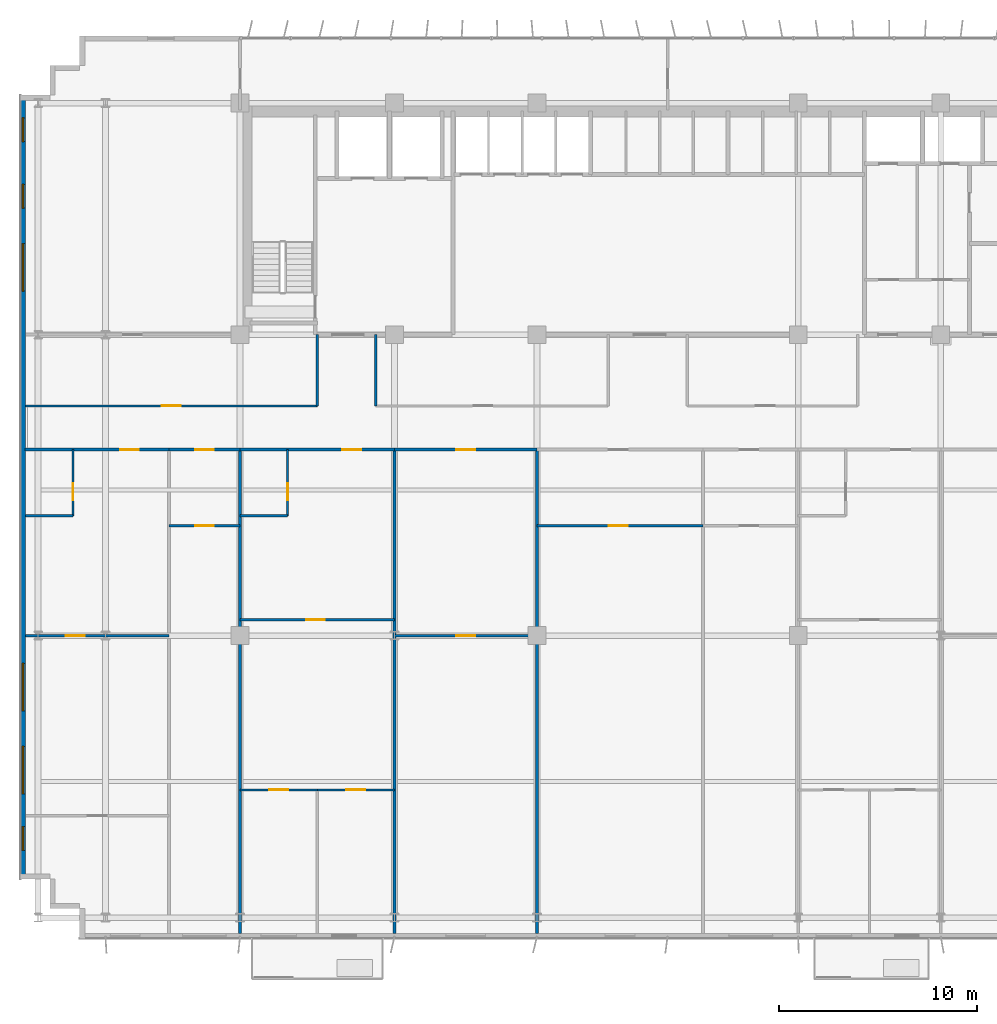
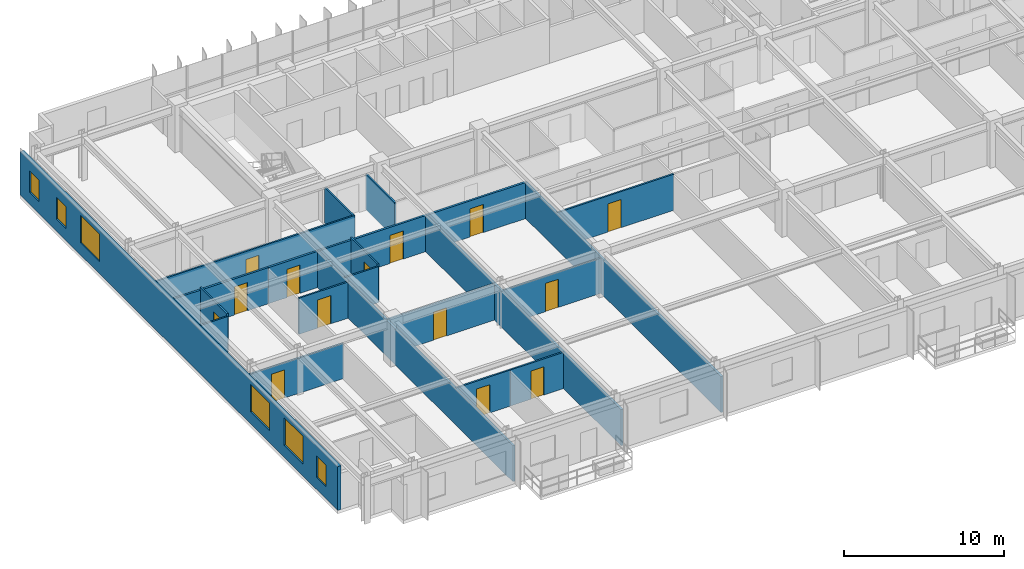
# One storey, part 15 of 22: 22 walls, 14 doors, 6 windows, 20 openings.
"""IFC4 building model written with IfcOpenShell, lengths in metres."""

import ifcopenshell
import ifcopenshell.guid

model = None  # the IFC model being written
_history = None  # IfcOwnerHistory: only IFC2X3 demands one
_inside = {}  # id of a spatial element -> (the spatial element, [elements in it])
_under = {}  # id of a project, library or spatial element -> (it, [spatial elements below it])
_declared = {}  # id of a project -> (the project, [libraries it declares])
_typed = {}  # id of a type object -> (the type object, [elements of that type])
_made_of = {}  # id of a material, layer set ... -> (it, [elements and type objects made of it])


def new_model(schema):
    """Start an empty IFC model of exactly this schema.

    Asked for "IFC4X3", IfcOpenShell would pick the latest addendum, in which some entities
    have other attributes; the version numbers below select the first issue.
    IFC2X3 requires an IfcOwnerHistory on every rooted entity: one is made here for all.
    """
    global model, _history
    if schema == "IFC4X3":
        model = ifcopenshell.file(schema_version=(4, 3, 0, 0))
    else:
        model = ifcopenshell.file(schema=schema)
    _inside.clear()
    _under.clear()
    _declared.clear()
    _typed.clear()
    _made_of.clear()
    _history = None
    if model.schema == "IFC2X3":
        org = make("IfcOrganization", Name="unknown")
        user = make(
            "IfcPersonAndOrganization",
            ThePerson=make("IfcPerson", FamilyName="unknown"),
            TheOrganization=org,
        )
        app = make(
            "IfcApplication",
            ApplicationDeveloper=org,
            Version="unknown",
            ApplicationFullName="unknown",
            ApplicationIdentifier="unknown",
        )
        _history = make(
            "IfcOwnerHistory",
            OwningUser=user,
            OwningApplication=app,
            ChangeAction="ADDED",
            CreationDate=0,
        )
    return model


def make(cls, **values):
    """One entity of the class cls with the attributes given. An attribute that is None is left unset."""
    return model.create_entity(
        cls, **{name: value for name, value in values.items() if value is not None}
    )


def rooted(cls, **values):
    """An entity with a GlobalId (a new one), such as an element, a storey or a relation."""
    return make(cls, GlobalId=ifcopenshell.guid.new(), OwnerHistory=_history, **values)


def si_unit(unit_type, name, prefix=None):
    """IfcSIUnit, for example si_unit("LENGTHUNIT", "METRE", prefix="MILLI")."""
    return make("IfcSIUnit", UnitType=unit_type, Prefix=prefix, Name=name)


def assignment(units):
    """IfcUnitAssignment: the units of a project."""
    return None if units is None else make("IfcUnitAssignment", Units=units)


def point(xyz):
    """IfcCartesianPoint."""
    return None if xyz is None else make("IfcCartesianPoint", Coordinates=xyz)


def direction(xyz):
    """IfcDirection."""
    return None if xyz is None else make("IfcDirection", DirectionRatios=xyz)


def frame(location, z_axis=None, x_axis=None):
    """IfcAxis2Placement3D, a coordinate frame: its origin and axes. An axis left out is left unset."""
    return make(
        "IfcAxis2Placement3D",
        Location=point(location),
        Axis=direction(z_axis),
        RefDirection=direction(x_axis),
    )


def frame_2d(location, x_axis=None):
    """IfcAxis2Placement2D, a coordinate frame in the plane: its origin and x axis."""
    return make(
        "IfcAxis2Placement2D", Location=point(location), RefDirection=direction(x_axis)
    )


def origin():
    """The frame at (0, 0, 0) with its axes left unset."""
    return frame((0.0, 0.0, 0.0))


def place(relative_to, where):
    """IfcLocalPlacement: puts the frame where relative to a parent placement (None: the world)."""
    return make(
        "IfcLocalPlacement", PlacementRelTo=relative_to, RelativePlacement=where
    )


def context(
    kind, dimensions, precision=None, world=None, true_north=None, identifier=None
):
    """IfcGeometricRepresentationContext, for example the 3D "Model" context."""
    return make(
        "IfcGeometricRepresentationContext",
        ContextIdentifier=identifier,
        ContextType=kind,
        CoordinateSpaceDimension=dimensions,
        Precision=precision,
        WorldCoordinateSystem=world,
        TrueNorth=true_north,
    )


def subcontext(parent, identifier, kind, view, scale=None):
    """IfcGeometricRepresentationSubContext, for example "Body" below "Model"."""
    return make(
        "IfcGeometricRepresentationSubContext",
        ContextIdentifier=identifier,
        ContextType=kind,
        ParentContext=parent,
        TargetScale=scale,
        TargetView=view,
    )


def project(units=None, contexts=None):
    """IfcProject with its units and contexts."""
    return rooted(
        "IfcProject",
        Name="project",
        RepresentationContexts=contexts,
        UnitsInContext=assignment(units),
    )


def spatial(cls, under=None, at=None, **own):
    """A site, building, storey or space (cls), placed at a placement, below another one or the project."""
    s = rooted(cls, ObjectPlacement=at, **own)
    if under is not None:
        _under.setdefault(under.id(), (under, []))[1].append(s)
    return s


def profile(cls, at=None, kind="AREA", **sizes):
    """A parametric profile (cls). Its sizes go by their IFC names, for example OverallWidth=200.0."""
    return make(cls, ProfileType=kind, Position=at, **sizes)


def rectangle(**sizes):
    """IfcRectangleProfileDef."""
    return profile("IfcRectangleProfileDef", **sizes)


def extrude(swept, where, along, depth):
    """IfcExtrudedAreaSolid: the profile swept, set in the frame where, extruded along a direction by depth."""
    return make(
        "IfcExtrudedAreaSolid",
        SweptArea=swept,
        Position=where,
        ExtrudedDirection=direction(along),
        Depth=depth,
    )


def shape(context_of_items, identifier, shape_type, items):
    """IfcShapeRepresentation: the items that make up one representation, for example the "Body"."""
    return make(
        "IfcShapeRepresentation",
        ContextOfItems=context_of_items,
        RepresentationIdentifier=identifier,
        RepresentationType=shape_type,
        Items=items,
    )


def source(mapping_origin, context_of_items, identifier, shape_type, items):
    """IfcRepresentationMap: a shape defined once, which mapped items show again and again."""
    return make(
        "IfcRepresentationMap",
        MappingOrigin=mapping_origin,
        MappedRepresentation=shape(context_of_items, identifier, shape_type, items),
    )


def transform(
    local_origin,
    x_axis=None,
    y_axis=None,
    z_axis=None,
    scale=None,
    scale2=None,
    scale3=None,
    uniform=True,
):
    """IfcCartesianTransformationOperator3D, or its non-uniform kind. x_axis, y_axis, z_axis: its Axis1, 2, 3."""
    if uniform:
        return make(
            "IfcCartesianTransformationOperator3D",
            Axis1=direction(x_axis),
            Axis2=direction(y_axis),
            LocalOrigin=point(local_origin),
            Scale=scale,
            Axis3=direction(z_axis),
        )
    return make(
        "IfcCartesianTransformationOperator3DnonUniform",
        Axis1=direction(x_axis),
        Axis2=direction(y_axis),
        LocalOrigin=point(local_origin),
        Scale=scale,
        Axis3=direction(z_axis),
        Scale2=scale2,
        Scale3=scale3,
    )


def mapped(mapping_source, mapping_target):
    """IfcMappedItem: shows the shape of a source again, moved by a transform."""
    return make(
        "IfcMappedItem", MappingSource=mapping_source, MappingTarget=mapping_target
    )


def material(Name=None, Category=None):
    """IfcMaterial."""
    return make("IfcMaterial", Name=Name, Category=Category)


def layer(
    of_material, thickness, ventilated=None, Name=None, Category=None, Priority=None
):
    """IfcMaterialLayer: one layer of a wall or slab, of a material (None: an air gap)."""
    return make(
        "IfcMaterialLayer",
        Material=of_material,
        LayerThickness=thickness,
        IsVentilated=ventilated,
        Name=Name,
        Category=Category,
        Priority=Priority,
    )


def layer_set(layers, Name=None):
    """IfcMaterialLayerSet."""
    return make("IfcMaterialLayerSet", MaterialLayers=layers, LayerSetName=Name)


def made_of(thing, what):
    """Note that an element or type object is made of a material, layer set ...; save() writes the relation."""
    if what is not None:
        _made_of.setdefault(what.id(), (what, []))[1].append(thing)
    return thing


def type_object(cls, material=None, **own):
    """A type object (cls), such as IfcWallType, which elements share."""
    return made_of(rooted(cls, **own), material)


def element(
    cls,
    number,
    at=None,
    inside=None,
    cuts=None,
    type_object=None,
    material=None,
    context=None,
    identifier="Body",
    shape_type=None,
    held_by="IfcProductDefinitionShape",
    body=None,
    shapes=None,
    **own,
):
    """One element of the class cls, such as IfcWall. Its Tag is "e" and its number.

    at: its placement. inside: the storey or other place that contains it. cuts: it is an
    opening in that element (IfcRelVoidsElement). A single representation is given by context,
    identifier, shape_type and body (its items); several are given by shapes. held_by: the class
    of the entity that holds the representations. save() writes the other relations.
    """
    e = rooted(cls, Tag="e%d" % number, ObjectPlacement=at, **own)
    if body is not None:
        shapes = [shape(context, identifier, shape_type, body)]
    if shapes is not None:
        e.Representation = make(held_by, Representations=shapes)
    if inside is not None:
        _inside.setdefault(inside.id(), (inside, []))[1].append(e)
    if cuts is not None:
        rooted(
            "IfcRelVoidsElement", RelatingBuildingElement=cuts, RelatedOpeningElement=e
        )
    if type_object is not None:
        _typed.setdefault(type_object.id(), (type_object, []))[1].append(e)
    return made_of(e, material)


def fill(opening, filler):
    """IfcRelFillsElement: the door or window that sits in an opening."""
    return rooted(
        "IfcRelFillsElement",
        RelatingOpeningElement=opening,
        RelatedBuildingElement=filler,
    )


def aggregate(whole, parts):
    """IfcRelAggregates: a whole, such as a stair, and the parts it consists of."""
    return rooted("IfcRelAggregates", RelatingObject=whole, RelatedObjects=parts)


def save(model, path):
    """Write the relations noted so far, then the file.

    IfcRelAggregates (storeys below a building ...), IfcRelContainedInSpatialStructure (elements
    in a storey), IfcRelDefinesByType, IfcRelAssociatesMaterial and IfcRelDeclares: one each for
    every whole, place, type object, material and project.
    """
    for whole, parts in _under.values():
        aggregate(whole, parts)
    for where, things in _inside.values():
        rooted(
            "IfcRelContainedInSpatialStructure",
            RelatedElements=things,
            RelatingStructure=where,
        )
    for kind, things in _typed.values():
        rooted("IfcRelDefinesByType", RelatedObjects=things, RelatingType=kind)
    for what, things in _made_of.values():
        rooted("IfcRelAssociatesMaterial", RelatedObjects=things, RelatingMaterial=what)
    for by, libraries in _declared.values():
        rooted("IfcRelDeclares", RelatingContext=by, RelatedDefinitions=libraries)
    model.write(path)


model = new_model("IFC4")

# Units and contexts
model_context = context("Model", 3, precision=1e-05, world=origin(), true_north=direction((0.0, 1.0)))
body_context = subcontext(model_context, "Body", "Model", "MODEL_VIEW")
ifc_project = project(units=[si_unit("LENGTHUNIT", "METRE"), si_unit("AREAUNIT", "SQUARE_METRE"), si_unit("VOLUMEUNIT", "CUBIC_METRE"), si_unit("PLANEANGLEUNIT", "RADIAN"), si_unit("MASSUNIT", "GRAM", prefix="KILO")], contexts=[model_context])

# Site, building, storey
site_placement = place(None, origin())
site = spatial("IfcSite", under=ifc_project, at=site_placement, CompositionType="ELEMENT")
building_placement = place(site_placement, origin())
building = spatial("IfcBuilding", under=site, at=building_placement, Name="Trelvane Seafront Commons", CompositionType="ELEMENT")
storey_placement = place(building_placement, frame((0.0, 0.0, 45.10009765625)))
storey = spatial("IfcBuildingStorey", under=building, at=storey_placement, Name="L11", CompositionType="ELEMENT", Elevation=45.10009765625)

# Wall, openings, windows
ifc_material_1 = material(Name="Precast concrete C40/50", Category="concrete")
ifc_layer_1 = layer(ifc_material_1, 0.260009765625, Name="ARCH-WALL-EXT260")
ifc_layer_set_1 = layer_set([ifc_layer_1], Name="Precast concrete C40/50")
wall_type_1 = type_object("IfcWallType", Name="ARCH-WALL-EXT260", PredefinedType="SOLIDWALL", material=ifc_layer_set_1)
wall_1_placement = place(storey_placement, frame((4.6298828125, 5.89990234375, 0.0), z_axis=(0.0, 0.0, 1.0), x_axis=(0.0, 1.0, 0.0)))
wall_1 = element("IfcWall", 1, at=wall_1_placement, inside=storey, type_object=wall_type_1, Name="EW-L11-00176", PredefinedType="SOLIDWALL", context=body_context, shape_type="SweptSolid", body=[
    extrude(rectangle(XDim=39.60009765625, YDim=0.260009765625, at=frame_2d((19.800048828125, 0.0))), origin(), (0.0, 0.0, 1.0), 3.33984375),
])
opening_1_placement = place(wall_1_placement, frame((1.449951171875, 0.0, 0.919921875)))
opening_1 = element("IfcOpeningElement", 2, at=opening_1_placement, cuts=wall_1, Name="Opening W05", PredefinedType="OPENING", context=body_context, shape_type="SweptSolid", body=[
    extrude(rectangle(XDim=1.199951171875, YDim=1.64990234375, at=frame_2d((0.60009765625, 0.824951171875))), frame((0.0, 0.139892578125, 0.0), z_axis=(0.0, -1.0, 0.0), x_axis=(1.0, 0.0, 0.0)), (0.0, 0.0, 1.0), 0.280029296875),
])
opening_2_placement = place(wall_1_placement, frame((4.300048828125, 0.0, 0.919921875)))
opening_2 = element("IfcOpeningElement", 3, at=opening_2_placement, cuts=wall_1, Name="Opening W08", PredefinedType="OPENING", context=body_context, shape_type="SweptSolid", body=[
    extrude(rectangle(XDim=2.39990234375, YDim=2.10009765625, at=frame_2d((1.199951171875, 1.050048828125))), frame((0.0, 0.139892578125, 0.0), z_axis=(0.0, -1.0, 0.0), x_axis=(1.0, 0.0, 0.0)), (0.0, 0.0, 1.0), 0.280029296875),
])
opening_3_placement = place(wall_1_placement, frame((8.5, 0.0, 0.919921875)))
opening_3 = element("IfcOpeningElement", 4, at=opening_3_placement, cuts=wall_1, Name="Opening W08", PredefinedType="OPENING", context=body_context, shape_type="SweptSolid", body=[
    extrude(rectangle(XDim=2.39990234375, YDim=2.10009765625, at=frame_2d((1.199951171875, 1.050048828125))), frame((0.0, 0.139892578125, 0.0), z_axis=(0.0, -1.0, 0.0), x_axis=(1.0, 0.0, 0.0)), (0.0, 0.0, 1.0), 0.280029296875),
])
opening_4_placement = place(wall_1_placement, frame((29.699951171875, 0.0, 0.919921875)))
opening_4 = element("IfcOpeningElement", 5, at=opening_4_placement, cuts=wall_1, Name="Opening W08", PredefinedType="OPENING", context=body_context, shape_type="SweptSolid", body=[
    extrude(rectangle(XDim=2.39990234375, YDim=2.10009765625, at=frame_2d((1.199951171875, 1.050048828125))), frame((0.0, 0.139892578125, 0.0), z_axis=(0.0, -1.0, 0.0), x_axis=(1.0, 0.0, 0.0)), (0.0, 0.0, 1.0), 0.280029296875),
])
opening_5_placement = place(wall_1_placement, frame((33.89990234375, 0.0, 0.919921875)))
opening_5 = element("IfcOpeningElement", 6, at=opening_5_placement, cuts=wall_1, Name="Opening W05", PredefinedType="OPENING", context=body_context, shape_type="SweptSolid", body=[
    extrude(rectangle(XDim=1.199951171875, YDim=1.64990234375, at=frame_2d((0.60009765625, 0.824951171875))), frame((0.0, 0.139892578125, 0.0), z_axis=(0.0, -1.0, 0.0), x_axis=(1.0, 0.0, 0.0)), (0.0, 0.0, 1.0), 0.280029296875),
])
opening_6_placement = place(wall_1_placement, frame((37.25, 0.0, 0.919921875)))
opening_6 = element("IfcOpeningElement", 7, at=opening_6_placement, cuts=wall_1, Name="Opening W05", PredefinedType="OPENING", context=body_context, shape_type="SweptSolid", body=[
    extrude(rectangle(XDim=1.199951171875, YDim=1.64990234375, at=frame_2d((0.60009765625, 0.824951171875))), frame((0.0, 0.139892578125, 0.0), z_axis=(0.0, -1.0, 0.0), x_axis=(1.0, 0.0, 0.0)), (0.0, 0.0, 1.0), 0.280029296875),
])
ifc_material_2 = material(Name="Low-E coastal double glazing", Category="glass")
window_type_1 = type_object("IfcWindowType", Name="ARCH-WIN-W08", PartitioningType="SINGLE_PANEL", PredefinedType="WINDOW", material=ifc_material_2)
shared_shape_1 = source(origin(), body_context, "Body", "SweptSolid", [
    extrude(rectangle(XDim=2.39990234375, YDim=2.10009765625, at=frame_2d((1.199951171875, 1.050048828125))), frame((0.0, 0.030029296875, 0.0), z_axis=(0.0, -1.0, 0.0), x_axis=(1.0, 0.0, 0.0)), (0.0, 0.0, 1.0), 0.06005859375),
])
window_1_placement = place(opening_2_placement, origin())
window_1 = element("IfcWindow", 8, at=window_1_placement, inside=storey, type_object=window_type_1, Name="WIN-L11-EW-00214", OverallHeight=2.10009765625, OverallWidth=2.39990234375, PartitioningType="SINGLE_PANEL", PredefinedType="WINDOW", context=body_context, shape_type="MappedRepresentation", body=[
    mapped(shared_shape_1, transform((0.0, 0.0, 0.0), x_axis=(1.0, 0.0, 0.0), y_axis=(0.0, 1.0, 0.0), z_axis=(0.0, 0.0, 1.0), scale=1.0)),
])
fill(opening_2, window_1)
window_2_placement = place(opening_3_placement, origin())
window_2 = element("IfcWindow", 9, at=window_2_placement, inside=storey, type_object=window_type_1, Name="WIN-L11-EW-00215", OverallHeight=2.10009765625, OverallWidth=2.39990234375, PartitioningType="SINGLE_PANEL", PredefinedType="WINDOW", context=body_context, shape_type="MappedRepresentation", body=[
    mapped(shared_shape_1, transform((0.0, 0.0, 0.0), x_axis=(1.0, 0.0, 0.0), y_axis=(0.0, 1.0, 0.0), z_axis=(0.0, 0.0, 1.0), scale=1.0)),
])
fill(opening_3, window_2)
window_3_placement = place(opening_4_placement, origin())
window_3 = element("IfcWindow", 10, at=window_3_placement, inside=storey, type_object=window_type_1, Name="WIN-L11-EW-00216", OverallHeight=2.10009765625, OverallWidth=2.39990234375, PartitioningType="SINGLE_PANEL", PredefinedType="WINDOW", context=body_context, shape_type="MappedRepresentation", body=[
    mapped(shared_shape_1, transform((0.0, 0.0, 0.0), x_axis=(1.0, 0.0, 0.0), y_axis=(0.0, 1.0, 0.0), z_axis=(0.0, 0.0, 1.0), scale=1.0)),
])
fill(opening_4, window_3)
window_type_2 = type_object("IfcWindowType", Name="ARCH-WIN-W05", PartitioningType="SINGLE_PANEL", PredefinedType="WINDOW", material=ifc_material_2)
shared_shape_2 = source(origin(), body_context, "Body", "SweptSolid", [
    extrude(rectangle(XDim=1.199951171875, YDim=1.64990234375, at=frame_2d((0.60009765625, 0.824951171875))), frame((0.0, 0.030029296875, 0.0), z_axis=(0.0, -1.0, 0.0), x_axis=(1.0, 0.0, 0.0)), (0.0, 0.0, 1.0), 0.06005859375),
])
window_4_placement = place(opening_1_placement, origin())
window_4 = element("IfcWindow", 11, at=window_4_placement, inside=storey, type_object=window_type_2, Name="WIN-L11-EW-00213", OverallHeight=1.64990234375, OverallWidth=1.199951171875, PartitioningType="SINGLE_PANEL", PredefinedType="WINDOW", context=body_context, shape_type="MappedRepresentation", body=[
    mapped(shared_shape_2, transform((0.0, 0.0, 0.0), x_axis=(1.0, 0.0, 0.0), y_axis=(0.0, 1.0, 0.0), z_axis=(0.0, 0.0, 1.0), scale=1.0)),
])
fill(opening_1, window_4)
window_5_placement = place(opening_5_placement, origin())
window_5 = element("IfcWindow", 12, at=window_5_placement, inside=storey, type_object=window_type_2, Name="WIN-L11-EW-00217", OverallHeight=1.64990234375, OverallWidth=1.199951171875, PartitioningType="SINGLE_PANEL", PredefinedType="WINDOW", context=body_context, shape_type="MappedRepresentation", body=[
    mapped(shared_shape_2, transform((0.0, 0.0, 0.0), x_axis=(1.0, 0.0, 0.0), y_axis=(0.0, 1.0, 0.0), z_axis=(0.0, 0.0, 1.0), scale=1.0)),
])
fill(opening_5, window_5)
window_6_placement = place(opening_6_placement, origin())
window_6 = element("IfcWindow", 13, at=window_6_placement, inside=storey, type_object=window_type_2, Name="WIN-L11-EW-00218", OverallHeight=1.64990234375, OverallWidth=1.199951171875, PartitioningType="SINGLE_PANEL", PredefinedType="WINDOW", context=body_context, shape_type="MappedRepresentation", body=[
    mapped(shared_shape_2, transform((0.0, 0.0, 0.0), x_axis=(1.0, 0.0, 0.0), y_axis=(0.0, 1.0, 0.0), z_axis=(0.0, 0.0, 1.0), scale=1.0)),
])
fill(opening_6, window_6)

# Wall, opening, door
ifc_material_3 = material(Name="Gypsum Drywall Acoustic Partition")
ifc_layer_2 = layer(ifc_material_3, 0.1201171875, Name="ARCH-WALL-PART120")
ifc_layer_set_2 = layer_set([ifc_layer_2], Name="Gypsum Drywall Acoustic Partition")
wall_type_2 = type_object("IfcWallType", Name="ARCH-WALL-PART120", PredefinedType="PARTITIONING", material=ifc_layer_set_2)
wall_2_placement = place(storey_placement, frame((4.75, 29.800048828125, 0.0), z_axis=(0.0, 0.0, 1.0), x_axis=(1.0, 0.0, 0.0)))
wall_2 = element("IfcWall", 14, at=wall_2_placement, inside=storey, type_object=wall_type_2, Name="W-L11-CORR-N-W-038", PredefinedType="PARTITIONING", context=body_context, shape_type="SweptSolid", body=[
    extrude(rectangle(XDim=14.75, YDim=0.1201171875, at=frame_2d((7.375, 0.0))), origin(), (0.0, 0.0, 1.0), 2.751953125),
])
opening_7_placement = place(wall_2_placement, frame((6.89990234375, 0.0, 0.0)))
opening_7 = element("IfcOpeningElement", 15, at=opening_7_placement, cuts=wall_2, Name="Opening D-L11-18", PredefinedType="OPENING", context=body_context, shape_type="SweptSolid", body=[
    extrude(rectangle(XDim=0.949951171875, YDim=2.14990234375, at=frame_2d((0.47509765625, 1.074951171875))), frame((0.0, 0.070068359375, 0.0), z_axis=(0.0, -1.0, 0.0), x_axis=(1.0, 0.0, 0.0)), (0.0, 0.0, 1.0), 0.14013671875),
])
ifc_material_4 = material(Name="Acoustic timber door leaf", Category="wood")
door_type_1 = type_object("IfcDoorType", Name="ARCH-DR-INT950", OperationType="NOTDEFINED", PredefinedType="DOOR", material=ifc_material_4)
shared_shape_3 = source(origin(), body_context, "Body", "SweptSolid", [
    extrude(rectangle(XDim=0.949951171875, YDim=2.14990234375, at=frame_2d((0.47509765625, 1.074951171875))), frame((0.0, 0.02490234375, 0.0), z_axis=(0.0, -1.0, 0.0), x_axis=(1.0, 0.0, 0.0)), (0.0, 0.0, 1.0), 0.050048828125),
])
door_1_placement = place(opening_7_placement, origin())
door_1 = element("IfcDoor", 16, at=door_1_placement, inside=storey, type_object=door_type_1, Name="L11 Door 18", OperationType="SINGLE_SWING_RIGHT", OverallHeight=2.14990234375, OverallWidth=0.949951171875, PredefinedType="DOOR", context=body_context, shape_type="MappedRepresentation", body=[
    mapped(shared_shape_3, transform((0.0, 0.0, 0.0), x_axis=(1.0, 0.0, 0.0), y_axis=(0.0, 1.0, 0.0), z_axis=(0.0, 0.0, 1.0), scale=1.0)),
])
fill(opening_7, door_1)

# Walls
for number, where, z_axis, x_axis, name in (
    (17, (19.5, 29.800048828125, 0.0), (0.0, 0.0, 1.0), (0.0, 1.0, 0.0), "W-L11-N-SPUR-W1-043"),
    (18, (22.449951171875, 29.800048828125, 0.0), (0.0, 0.0, 1.0), (0.0, 1.0, 0.0), "W-L11-N-SPUR-W2-044"),
):
    element("IfcWall", number, at=place(storey_placement, frame(where, z_axis=z_axis, x_axis=x_axis)), inside=storey, type_object=wall_type_2, Name=name, PredefinedType="PARTITIONING", context=body_context, shape_type="SweptSolid", body=[
        extrude(rectangle(XDim=3.599853515625, YDim=0.1201171875, at=frame_2d((1.7998046875, 0.0))), origin(), (0.0, 0.0, 1.0), 2.68994140625),
    ])

# Wall, opening, door
wall_3_placement = place(storey_placement, frame((4.760009765625, 18.199951171875, 0.0), z_axis=(0.0, 0.0, 1.0), x_axis=(1.0, 0.0, 0.0)))
wall_3 = element("IfcWall", 19, at=wall_3_placement, inside=storey, type_object=wall_type_2, Name="W-L11-U1-KL-068", PredefinedType="PARTITIONING", context=body_context, shape_type="SweptSolid", body=[
    extrude(rectangle(XDim=7.239990234375, YDim=0.1201171875, at=frame_2d((3.6201171875, 0.0))), origin(), (0.0, 0.0, 1.0), 2.68994140625),
])
opening_8_placement = place(wall_3_placement, frame((2.0390625, 0.0, 0.0)))
opening_8 = element("IfcOpeningElement", 20, at=opening_8_placement, cuts=wall_3, Name="Opening D-L11-31", PredefinedType="OPENING", context=body_context, shape_type="SweptSolid", body=[
    extrude(rectangle(XDim=0.949951171875, YDim=2.14990234375, at=frame_2d((0.47509765625, 1.074951171875))), frame((0.0, 0.070068359375, 0.0), z_axis=(0.0, -1.0, 0.0), x_axis=(1.0, 0.0, 0.0)), (0.0, 0.0, 1.0), 0.14013671875),
])
door_2_placement = place(opening_8_placement, origin())
door_2 = element("IfcDoor", 21, at=door_2_placement, inside=storey, type_object=door_type_1, Name="L11 Door 31", OperationType="SINGLE_SWING_LEFT", OverallHeight=2.14990234375, OverallWidth=0.949951171875, PredefinedType="DOOR", context=body_context, shape_type="MappedRepresentation", body=[
    mapped(shared_shape_3, transform((0.0, 0.0, 0.0), x_axis=(1.0, 0.0, 0.0), y_axis=(0.0, 1.0, 0.0), z_axis=(0.0, 0.0, 1.0), scale=1.0)),
])
fill(opening_8, door_2)

wall_4_placement = place(storey_placement, frame((7.159912109375, 24.25, 0.0), z_axis=(0.0, 0.0, 1.0), x_axis=(0.0, 1.0, 0.0)))
wall_4 = element("IfcWall", 22, at=wall_4_placement, inside=storey, type_object=wall_type_2, Name="W-L11-U1-BE-069", PredefinedType="PARTITIONING", context=body_context, shape_type="SweptSolid", body=[
    extrude(rectangle(XDim=3.35009765625, YDim=0.1201171875, at=frame_2d((1.675048828125, 0.0))), origin(), (0.0, 0.0, 1.0), 2.93994140625),
])
opening_9_placement = place(wall_4_placement, frame((0.800048828125, 0.0, 0.0)))
opening_9 = element("IfcOpeningElement", 23, at=opening_9_placement, cuts=wall_4, Name="Opening D-L11-32", PredefinedType="OPENING", context=body_context, shape_type="SweptSolid", body=[
    extrude(rectangle(XDim=0.85009765625, YDim=2.10009765625, at=frame_2d((0.425048828125, 1.050048828125))), frame((0.0, 0.070068359375, 0.0), z_axis=(0.0, -1.0, 0.0), x_axis=(1.0, 0.0, 0.0)), (0.0, 0.0, 1.0), 0.14013671875),
])
door_type_2 = type_object("IfcDoorType", Name="ARCH-DR-INT850", OperationType="NOTDEFINED", PredefinedType="DOOR", material=ifc_material_4)
shared_shape_4 = source(origin(), body_context, "Body", "SweptSolid", [
    extrude(rectangle(XDim=0.85009765625, YDim=2.10009765625, at=frame_2d((0.425048828125, 1.050048828125))), frame((0.0, 0.02490234375, 0.0), z_axis=(0.0, -1.0, 0.0), x_axis=(1.0, 0.0, 0.0)), (0.0, 0.0, 1.0), 0.050048828125),
])
door_3_placement = place(opening_9_placement, origin())
door_3 = element("IfcDoor", 24, at=door_3_placement, inside=storey, type_object=door_type_2, Name="L11 Door 32", OperationType="SINGLE_SWING_RIGHT", OverallHeight=2.10009765625, OverallWidth=0.85009765625, PredefinedType="DOOR", context=body_context, shape_type="MappedRepresentation", body=[
    mapped(shared_shape_4, transform((0.0, 0.0, 0.0), x_axis=(1.0, 0.0, 0.0), y_axis=(0.0, 1.0, 0.0), z_axis=(0.0, 0.0, 1.0), scale=1.0)),
])
fill(opening_9, door_3)

# Wall
wall_5_placement = place(storey_placement, frame((4.760009765625, 24.25, 0.0), z_axis=(0.0, 0.0, 1.0), x_axis=(1.0, 0.0, 0.0)))
element("IfcWall", 25, at=wall_5_placement, inside=storey, type_object=wall_type_2, Name="W-L11-U1-BS-070", PredefinedType="PARTITIONING", context=body_context, shape_type="SweptSolid", body=[
    extrude(rectangle(XDim=2.39990234375, YDim=0.1201171875, at=frame_2d((1.199951171875, 0.0))), origin(), (0.0, 0.0, 1.0), 2.751953125),
])

# Wall, opening, door
wall_6_placement = place(storey_placement, frame((12.0, 23.75, 0.0), z_axis=(0.0, 0.0, 1.0), x_axis=(1.0, 0.0, 0.0)))
wall_6 = element("IfcWall", 26, at=wall_6_placement, inside=storey, type_object=wall_type_2, Name="W-L11-U2-DIV-074", PredefinedType="PARTITIONING", context=body_context, shape_type="SweptSolid", body=[
    extrude(rectangle(XDim=3.60009765625, YDim=0.1201171875, at=frame_2d((1.800048828125, 0.0))), origin(), (0.0, 0.0, 1.0), 2.751953125),
])
opening_10_placement = place(wall_6_placement, frame((1.324951171875, 0.0, 0.0)))
opening_10 = element("IfcOpeningElement", 27, at=opening_10_placement, cuts=wall_6, Name="Opening D-L11-36", PredefinedType="OPENING", context=body_context, shape_type="SweptSolid", body=[
    extrude(rectangle(XDim=0.949951171875, YDim=2.14990234375, at=frame_2d((0.47509765625, 1.074951171875))), frame((0.0, 0.070068359375, 0.0), z_axis=(0.0, -1.0, 0.0), x_axis=(1.0, 0.0, 0.0)), (0.0, 0.0, 1.0), 0.14013671875),
])
door_4_placement = place(opening_10_placement, origin())
door_4 = element("IfcDoor", 28, at=door_4_placement, inside=storey, type_object=door_type_1, Name="L11 Door 36", OperationType="SINGLE_SWING_RIGHT", OverallHeight=2.14990234375, OverallWidth=0.949951171875, PredefinedType="DOOR", context=body_context, shape_type="MappedRepresentation", body=[
    mapped(shared_shape_3, transform((0.0, 0.0, 0.0), x_axis=(1.0, 0.0, 0.0), y_axis=(0.0, 1.0, 0.0), z_axis=(0.0, 0.0, 1.0), scale=1.0)),
])
fill(opening_10, door_4)

wall_7_placement = place(storey_placement, frame((15.60009765625, 19.0, 0.0), z_axis=(0.0, 0.0, 1.0), x_axis=(1.0, 0.0, 0.0)))
wall_7 = element("IfcWall", 29, at=wall_7_placement, inside=storey, type_object=wall_type_2, Name="W-L11-U3-KL-075", PredefinedType="PARTITIONING", context=body_context, shape_type="SweptSolid", body=[
    extrude(rectangle(XDim=7.7998046875, YDim=0.1201171875, at=frame_2d((3.89990234375, 0.0))), origin(), (0.0, 0.0, 1.0), 2.751953125),
])
opening_11_placement = place(wall_7_placement, frame((3.3330078125, 0.0, 0.0)))
opening_11 = element("IfcOpeningElement", 30, at=opening_11_placement, cuts=wall_7, Name="Opening D-L11-37", PredefinedType="OPENING", context=body_context, shape_type="SweptSolid", body=[
    extrude(rectangle(XDim=0.949951171875, YDim=2.14990234375, at=frame_2d((0.47509765625, 1.074951171875))), frame((0.0, 0.070068359375, 0.0), z_axis=(0.0, -1.0, 0.0), x_axis=(1.0, 0.0, 0.0)), (0.0, 0.0, 1.0), 0.14013671875),
])
door_5_placement = place(opening_11_placement, origin())
door_5 = element("IfcDoor", 31, at=door_5_placement, inside=storey, type_object=door_type_1, Name="L11 Door 37", OperationType="SINGLE_SWING_LEFT", OverallHeight=2.14990234375, OverallWidth=0.949951171875, PredefinedType="DOOR", context=body_context, shape_type="MappedRepresentation", body=[
    mapped(shared_shape_3, transform((0.0, 0.0, 0.0), x_axis=(1.0, 0.0, 0.0), y_axis=(0.0, 1.0, 0.0), z_axis=(0.0, 0.0, 1.0), scale=1.0)),
])
fill(opening_11, door_5)

wall_8_placement = place(storey_placement, frame((18.0, 24.25, 0.0), z_axis=(0.0, 0.0, 1.0), x_axis=(0.0, 1.0, 0.0)))
wall_8 = element("IfcWall", 32, at=wall_8_placement, inside=storey, type_object=wall_type_2, Name="W-L11-U3-BE-076", PredefinedType="PARTITIONING", context=body_context, shape_type="SweptSolid", body=[
    extrude(rectangle(XDim=3.35009765625, YDim=0.1201171875, at=frame_2d((1.675048828125, 0.0))), origin(), (0.0, 0.0, 1.0), 2.93994140625),
])
opening_12_placement = place(wall_8_placement, frame((0.800048828125, 0.0, 0.0)))
opening_12 = element("IfcOpeningElement", 33, at=opening_12_placement, cuts=wall_8, Name="Opening D-L11-38", PredefinedType="OPENING", context=body_context, shape_type="SweptSolid", body=[
    extrude(rectangle(XDim=0.85009765625, YDim=2.10009765625, at=frame_2d((0.425048828125, 1.050048828125))), frame((0.0, 0.070068359375, 0.0), z_axis=(0.0, -1.0, 0.0), x_axis=(1.0, 0.0, 0.0)), (0.0, 0.0, 1.0), 0.14013671875),
])
door_6_placement = place(opening_12_placement, origin())
door_6 = element("IfcDoor", 34, at=door_6_placement, inside=storey, type_object=door_type_2, Name="L11 Door 38", OperationType="SINGLE_SWING_RIGHT", OverallHeight=2.10009765625, OverallWidth=0.85009765625, PredefinedType="DOOR", context=body_context, shape_type="MappedRepresentation", body=[
    mapped(shared_shape_4, transform((0.0, 0.0, 0.0), x_axis=(1.0, 0.0, 0.0), y_axis=(0.0, 1.0, 0.0), z_axis=(0.0, 0.0, 1.0), scale=1.0)),
])
fill(opening_12, door_6)

# Wall
wall_9_placement = place(storey_placement, frame((15.60009765625, 24.25, 0.0), z_axis=(0.0, 0.0, 1.0), x_axis=(1.0, 0.0, 0.0)))
element("IfcWall", 35, at=wall_9_placement, inside=storey, type_object=wall_type_2, Name="W-L11-U3-BS-077", PredefinedType="PARTITIONING", context=body_context, shape_type="SweptSolid", body=[
    extrude(rectangle(XDim=2.39990234375, YDim=0.1201171875, at=frame_2d((1.199951171875, 0.0))), origin(), (0.0, 0.0, 1.0), 2.751953125),
])

# Wall, opening, door
wall_10_placement = place(storey_placement, frame((15.60009765625, 10.39990234375, 0.0), z_axis=(0.0, 0.0, 1.0), x_axis=(1.0, 0.0, 0.0)))
wall_10 = element("IfcWall", 36, at=wall_10_placement, inside=storey, type_object=wall_type_2, Name="W-L11-U3-YM-1-079", PredefinedType="PARTITIONING", context=body_context, shape_type="SweptSolid", body=[
    extrude(rectangle(XDim=3.89990234375, YDim=0.1201171875, at=frame_2d((1.949951171875, 0.0))), origin(), (0.0, 0.0, 1.0), 2.751953125),
])
opening_13_placement = place(wall_10_placement, frame((1.47509765625, 0.0, 0.0)))
opening_13 = element("IfcOpeningElement", 37, at=opening_13_placement, cuts=wall_10, Name="Opening D-L11-40", PredefinedType="OPENING", context=body_context, shape_type="SweptSolid", body=[
    extrude(rectangle(XDim=0.949951171875, YDim=2.14990234375, at=frame_2d((0.47509765625, 1.074951171875))), frame((0.0, 0.070068359375, 0.0), z_axis=(0.0, -1.0, 0.0), x_axis=(1.0, 0.0, 0.0)), (0.0, 0.0, 1.0), 0.14013671875),
])
door_7_placement = place(opening_13_placement, origin())
door_7 = element("IfcDoor", 38, at=door_7_placement, inside=storey, type_object=door_type_1, Name="L11 Door 40", OperationType="SINGLE_SWING_RIGHT", OverallHeight=2.14990234375, OverallWidth=0.949951171875, PredefinedType="DOOR", context=body_context, shape_type="MappedRepresentation", body=[
    mapped(shared_shape_3, transform((0.0, 0.0, 0.0), x_axis=(1.0, 0.0, 0.0), y_axis=(0.0, 1.0, 0.0), z_axis=(0.0, 0.0, 1.0), scale=1.0)),
])
fill(opening_13, door_7)

wall_11_placement = place(storey_placement, frame((19.5, 10.39990234375, 0.0), z_axis=(0.0, 0.0, 1.0), x_axis=(1.0, 0.0, 0.0)))
wall_11 = element("IfcWall", 39, at=wall_11_placement, inside=storey, type_object=wall_type_2, Name="W-L11-U3-YM-2-080", PredefinedType="PARTITIONING", context=body_context, shape_type="SweptSolid", body=[
    extrude(rectangle(XDim=3.89990234375, YDim=0.1201171875, at=frame_2d((1.949951171875, 0.0))), origin(), (0.0, 0.0, 1.0), 2.751953125),
])
opening_14_placement = place(wall_11_placement, frame((1.47509765625, 0.0, 0.0)))
opening_14 = element("IfcOpeningElement", 40, at=opening_14_placement, cuts=wall_11, Name="Opening D-L11-41", PredefinedType="OPENING", context=body_context, shape_type="SweptSolid", body=[
    extrude(rectangle(XDim=0.949951171875, YDim=2.14990234375, at=frame_2d((0.47509765625, 1.074951171875))), frame((0.0, 0.070068359375, 0.0), z_axis=(0.0, -1.0, 0.0), x_axis=(1.0, 0.0, 0.0)), (0.0, 0.0, 1.0), 0.14013671875),
])
door_8_placement = place(opening_14_placement, origin())
door_8 = element("IfcDoor", 41, at=door_8_placement, inside=storey, type_object=door_type_1, Name="L11 Door 41", OperationType="SINGLE_SWING_LEFT", OverallHeight=2.14990234375, OverallWidth=0.949951171875, PredefinedType="DOOR", context=body_context, shape_type="MappedRepresentation", body=[
    mapped(shared_shape_3, transform((0.0, 0.0, 0.0), x_axis=(1.0, 0.0, 0.0), y_axis=(0.0, 1.0, 0.0), z_axis=(0.0, 0.0, 1.0), scale=1.0)),
])
fill(opening_14, door_8)

wall_12_placement = place(storey_placement, frame((23.39990234375, 18.199951171875, 0.0), z_axis=(0.0, 0.0, 1.0), x_axis=(1.0, 0.0, 0.0)))
wall_12 = element("IfcWall", 42, at=wall_12_placement, inside=storey, type_object=wall_type_2, Name="W-L11-U4-DIV-083", PredefinedType="PARTITIONING", context=body_context, shape_type="SweptSolid", body=[
    extrude(rectangle(XDim=7.2001953125, YDim=0.1201171875, at=frame_2d((3.60009765625, 0.0))), origin(), (0.0, 0.0, 1.0), 2.68994140625),
])
opening_15_placement = place(wall_12_placement, frame((3.125, 0.0, 0.0)))
opening_15 = element("IfcOpeningElement", 43, at=opening_15_placement, cuts=wall_12, Name="Opening D-L11-43", PredefinedType="OPENING", context=body_context, shape_type="SweptSolid", body=[
    extrude(rectangle(XDim=0.949951171875, YDim=2.14990234375, at=frame_2d((0.47509765625, 1.074951171875))), frame((0.0, 0.070068359375, 0.0), z_axis=(0.0, -1.0, 0.0), x_axis=(1.0, 0.0, 0.0)), (0.0, 0.0, 1.0), 0.14013671875),
])
door_9_placement = place(opening_15_placement, origin())
door_9 = element("IfcDoor", 44, at=door_9_placement, inside=storey, type_object=door_type_1, Name="L11 Door 43", OperationType="SINGLE_SWING_LEFT", OverallHeight=2.14990234375, OverallWidth=0.949951171875, PredefinedType="DOOR", context=body_context, shape_type="MappedRepresentation", body=[
    mapped(shared_shape_3, transform((0.0, 0.0, 0.0), x_axis=(1.0, 0.0, 0.0), y_axis=(0.0, 1.0, 0.0), z_axis=(0.0, 0.0, 1.0), scale=1.0)),
])
fill(opening_15, door_9)

wall_13_placement = place(storey_placement, frame((30.60009765625, 23.75, 0.0), z_axis=(0.0, 0.0, 1.0), x_axis=(1.0, 0.0, 0.0)))
wall_13 = element("IfcWall", 45, at=wall_13_placement, inside=storey, type_object=wall_type_2, Name="W-L11-U5-DIV-085", PredefinedType="PARTITIONING", context=body_context, shape_type="SweptSolid", body=[
    extrude(rectangle(XDim=8.39990234375, YDim=0.1201171875, at=frame_2d((4.199951171875, 0.0))), origin(), (0.0, 0.0, 1.0), 2.751953125),
])
opening_16_placement = place(wall_13_placement, frame((3.635009765625, 0.0, 0.0)))
opening_16 = element("IfcOpeningElement", 46, at=opening_16_placement, cuts=wall_13, Name="Opening D-L11-45", PredefinedType="OPENING", context=body_context, shape_type="SweptSolid", body=[
    extrude(rectangle(XDim=0.949951171875, YDim=2.14990234375, at=frame_2d((0.47509765625, 1.074951171875))), frame((0.0, 0.070068359375, 0.0), z_axis=(0.0, -1.0, 0.0), x_axis=(1.0, 0.0, 0.0)), (0.0, 0.0, 1.0), 0.14013671875),
])
door_10_placement = place(opening_16_placement, origin())
door_10 = element("IfcDoor", 47, at=door_10_placement, inside=storey, type_object=door_type_1, Name="L11 Door 45", OperationType="SINGLE_SWING_LEFT", OverallHeight=2.14990234375, OverallWidth=0.949951171875, PredefinedType="DOOR", context=body_context, shape_type="MappedRepresentation", body=[
    mapped(shared_shape_3, transform((0.0, 0.0, 0.0), x_axis=(1.0, 0.0, 0.0), y_axis=(0.0, 1.0, 0.0), z_axis=(0.0, 0.0, 1.0), scale=1.0)),
])
fill(opening_16, door_10)

# Walls
ifc_layer_3 = layer(ifc_material_3, 0.14990234375, Name="ARCH-WALL-PART150")
ifc_layer_set_3 = layer_set([ifc_layer_3], Name="Gypsum Drywall Acoustic Partition")
wall_type_3 = type_object("IfcWallType", Name="ARCH-WALL-PART150", PredefinedType="PARTITIONING", material=ifc_layer_set_3)
for number, where, z_axis, x_axis, name in (
    (48, (15.60009765625, 3.14501953125, 0.0), (0.0, 0.0, 1.0), (0.0, 1.0, 0.0), "W-L11-PW-2-060"),
    (49, (23.39990234375, 3.14501953125, 0.0), (0.0, 0.0, 1.0), (0.0, 1.0, 0.0), "W-L11-PW-3-061"),
    (50, (30.60009765625, 3.14501953125, 0.0), (0.0, 0.0, 1.0), (0.0, 1.0, 0.0), "W-L11-PW-4-062"),
):
    element("IfcWall", number, at=place(storey_placement, frame(where, z_axis=z_axis, x_axis=x_axis)), inside=storey, type_object=wall_type_3, Name=name, PredefinedType="PARTITIONING", context=body_context, shape_type="SweptSolid", body=[
        extrude(rectangle(XDim=24.455078125, YDim=0.14990234375, at=frame_2d((12.2275390625, 0.0))), origin(), (0.0, 0.0, 1.0), 2.751953125),
    ])

# Wall, opening, door
wall_14_placement = place(storey_placement, frame((4.7451171875, 27.60009765625, 0.0), z_axis=(0.0, 0.0, 1.0), x_axis=(1.0, 0.0, 0.0)))
wall_14 = element("IfcWall", 51, at=wall_14_placement, inside=storey, type_object=wall_type_3, Name="W-L11-CS-BAY-1-071", PredefinedType="PARTITIONING", context=body_context, shape_type="SweptSolid", body=[
    extrude(rectangle(XDim=7.2548828125, YDim=0.14990234375, at=frame_2d((3.62744140625, 0.0))), origin(), (0.0, 0.0, 1.0), 2.751953125),
])
opening_17_placement = place(wall_14_placement, frame((4.799072265625, 0.0, 0.0)))
opening_17 = element("IfcOpeningElement", 52, at=opening_17_placement, cuts=wall_14, Name="Opening FD-L11-33", PredefinedType="OPENING", context=body_context, shape_type="SweptSolid", body=[
    extrude(rectangle(XDim=0.949951171875, YDim=2.14990234375, at=frame_2d((0.47509765625, 1.074951171875))), frame((0.0, 0.0849609375, 0.0), z_axis=(0.0, -1.0, 0.0), x_axis=(1.0, 0.0, 0.0)), (0.0, 0.0, 1.0), 0.169921875),
])
ifc_material_5 = material(Name="Powder-coated aluminium frame", Category="aluminium")
door_type_3 = type_object("IfcDoorType", Name="ARCH-DR-FD60-950", OperationType="NOTDEFINED", PredefinedType="DOOR", material=ifc_material_5)
door_11_placement = place(opening_17_placement, origin())
door_11 = element("IfcDoor", 53, at=door_11_placement, inside=storey, type_object=door_type_3, Name="L11 Unit 01 Entrance Door", OperationType="SINGLE_SWING_LEFT", OverallHeight=2.14990234375, OverallWidth=0.949951171875, PredefinedType="DOOR", context=body_context, shape_type="MappedRepresentation", body=[
    mapped(shared_shape_3, transform((0.0, 0.0, 0.0), x_axis=(1.0, 0.0, 0.0), y_axis=(0.0, 1.0, 0.0), z_axis=(0.0, 0.0, 1.0), scale=1.0)),
])
fill(opening_17, door_11)

wall_15_placement = place(storey_placement, frame((12.0, 27.60009765625, 0.0), z_axis=(0.0, 0.0, 1.0), x_axis=(1.0, 0.0, 0.0)))
wall_15 = element("IfcWall", 54, at=wall_15_placement, inside=storey, type_object=wall_type_3, Name="W-L11-CS-BAY-2-073", PredefinedType="PARTITIONING", context=body_context, shape_type="SweptSolid", body=[
    extrude(rectangle(XDim=3.60009765625, YDim=0.14990234375, at=frame_2d((1.800048828125, 0.0))), origin(), (0.0, 0.0, 1.0), 2.751953125),
])
opening_18_placement = place(wall_15_placement, frame((1.324951171875, 0.0, 0.0)))
opening_18 = element("IfcOpeningElement", 55, at=opening_18_placement, cuts=wall_15, Name="Opening FD-L11-35", PredefinedType="OPENING", context=body_context, shape_type="SweptSolid", body=[
    extrude(rectangle(XDim=0.949951171875, YDim=2.14990234375, at=frame_2d((0.47509765625, 1.074951171875))), frame((0.0, 0.0849609375, 0.0), z_axis=(0.0, -1.0, 0.0), x_axis=(1.0, 0.0, 0.0)), (0.0, 0.0, 1.0), 0.169921875),
])
door_12_placement = place(opening_18_placement, origin())
door_12 = element("IfcDoor", 56, at=door_12_placement, inside=storey, type_object=door_type_3, Name="L11 Bay 02 Entrance Door", OperationType="SINGLE_SWING_LEFT", OverallHeight=2.14990234375, OverallWidth=0.949951171875, PredefinedType="DOOR", context=body_context, shape_type="MappedRepresentation", body=[
    mapped(shared_shape_3, transform((0.0, 0.0, 0.0), x_axis=(1.0, 0.0, 0.0), y_axis=(0.0, 1.0, 0.0), z_axis=(0.0, 0.0, 1.0), scale=1.0)),
])
fill(opening_18, door_12)

wall_16_placement = place(storey_placement, frame((15.60009765625, 27.60009765625, 0.0), z_axis=(0.0, 0.0, 1.0), x_axis=(1.0, 0.0, 0.0)))
wall_16 = element("IfcWall", 57, at=wall_16_placement, inside=storey, type_object=wall_type_3, Name="W-L11-CS-BAY-3-078", PredefinedType="PARTITIONING", context=body_context, shape_type="SweptSolid", body=[
    extrude(rectangle(XDim=7.7998046875, YDim=0.14990234375, at=frame_2d((3.89990234375, 0.0))), origin(), (0.0, 0.0, 1.0), 2.751953125),
])
opening_19_placement = place(wall_16_placement, frame((5.172119140625, 0.0, 0.0)))
opening_19 = element("IfcOpeningElement", 58, at=opening_19_placement, cuts=wall_16, Name="Opening FD-L11-39", PredefinedType="OPENING", context=body_context, shape_type="SweptSolid", body=[
    extrude(rectangle(XDim=0.949951171875, YDim=2.14990234375, at=frame_2d((0.47509765625, 1.074951171875))), frame((0.0, 0.0849609375, 0.0), z_axis=(0.0, -1.0, 0.0), x_axis=(1.0, 0.0, 0.0)), (0.0, 0.0, 1.0), 0.169921875),
])
door_13_placement = place(opening_19_placement, origin())
door_13 = element("IfcDoor", 59, at=door_13_placement, inside=storey, type_object=door_type_3, Name="L11 Unit 03 Entrance Door", OperationType="SINGLE_SWING_LEFT", OverallHeight=2.14990234375, OverallWidth=0.949951171875, PredefinedType="DOOR", context=body_context, shape_type="MappedRepresentation", body=[
    mapped(shared_shape_3, transform((0.0, 0.0, 0.0), x_axis=(1.0, 0.0, 0.0), y_axis=(0.0, 1.0, 0.0), z_axis=(0.0, 0.0, 1.0), scale=1.0)),
])
fill(opening_19, door_13)

wall_17_placement = place(storey_placement, frame((23.39990234375, 27.60009765625, 0.0), z_axis=(0.0, 0.0, 1.0), x_axis=(1.0, 0.0, 0.0)))
wall_17 = element("IfcWall", 60, at=wall_17_placement, inside=storey, type_object=wall_type_3, Name="W-L11-CS-BAY-4-082", PredefinedType="PARTITIONING", context=body_context, shape_type="SweptSolid", body=[
    extrude(rectangle(XDim=7.2001953125, YDim=0.14990234375, at=frame_2d((3.60009765625, 0.0))), origin(), (0.0, 0.0, 1.0), 2.751953125),
])
opening_20_placement = place(wall_17_placement, frame((3.125, 0.0, 0.0)))
opening_20 = element("IfcOpeningElement", 61, at=opening_20_placement, cuts=wall_17, Name="Opening FD-L11-42", PredefinedType="OPENING", context=body_context, shape_type="SweptSolid", body=[
    extrude(rectangle(XDim=0.949951171875, YDim=2.14990234375, at=frame_2d((0.47509765625, 1.074951171875))), frame((0.0, 0.0849609375, 0.0), z_axis=(0.0, -1.0, 0.0), x_axis=(1.0, 0.0, 0.0)), (0.0, 0.0, 1.0), 0.169921875),
])
door_14_placement = place(opening_20_placement, origin())
door_14 = element("IfcDoor", 62, at=door_14_placement, inside=storey, type_object=door_type_3, Name="L11 Bay 04 Entrance Door", OperationType="SINGLE_SWING_RIGHT", OverallHeight=2.14990234375, OverallWidth=0.949951171875, PredefinedType="DOOR", context=body_context, shape_type="MappedRepresentation", body=[
    mapped(shared_shape_3, transform((0.0, 0.0, 0.0), x_axis=(1.0, 0.0, 0.0), y_axis=(0.0, 1.0, 0.0), z_axis=(0.0, 0.0, 1.0), scale=1.0)),
])
fill(opening_20, door_14)

save(model, "model.ifc")
